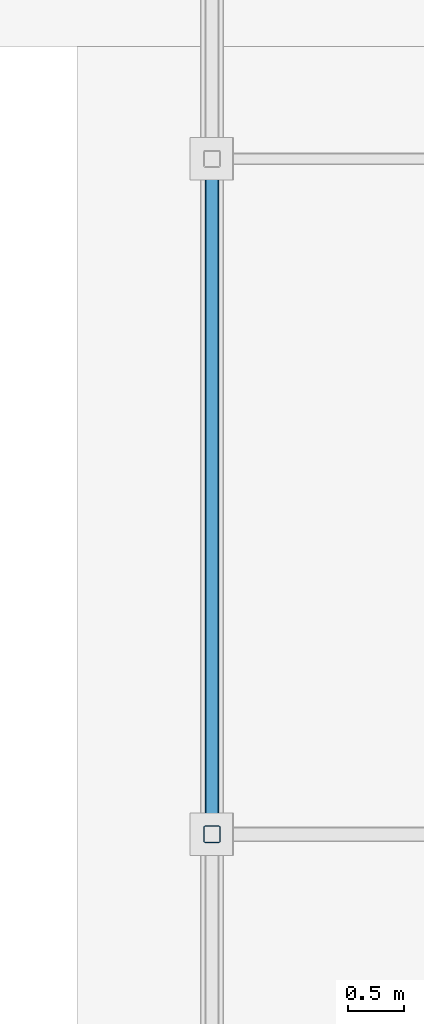
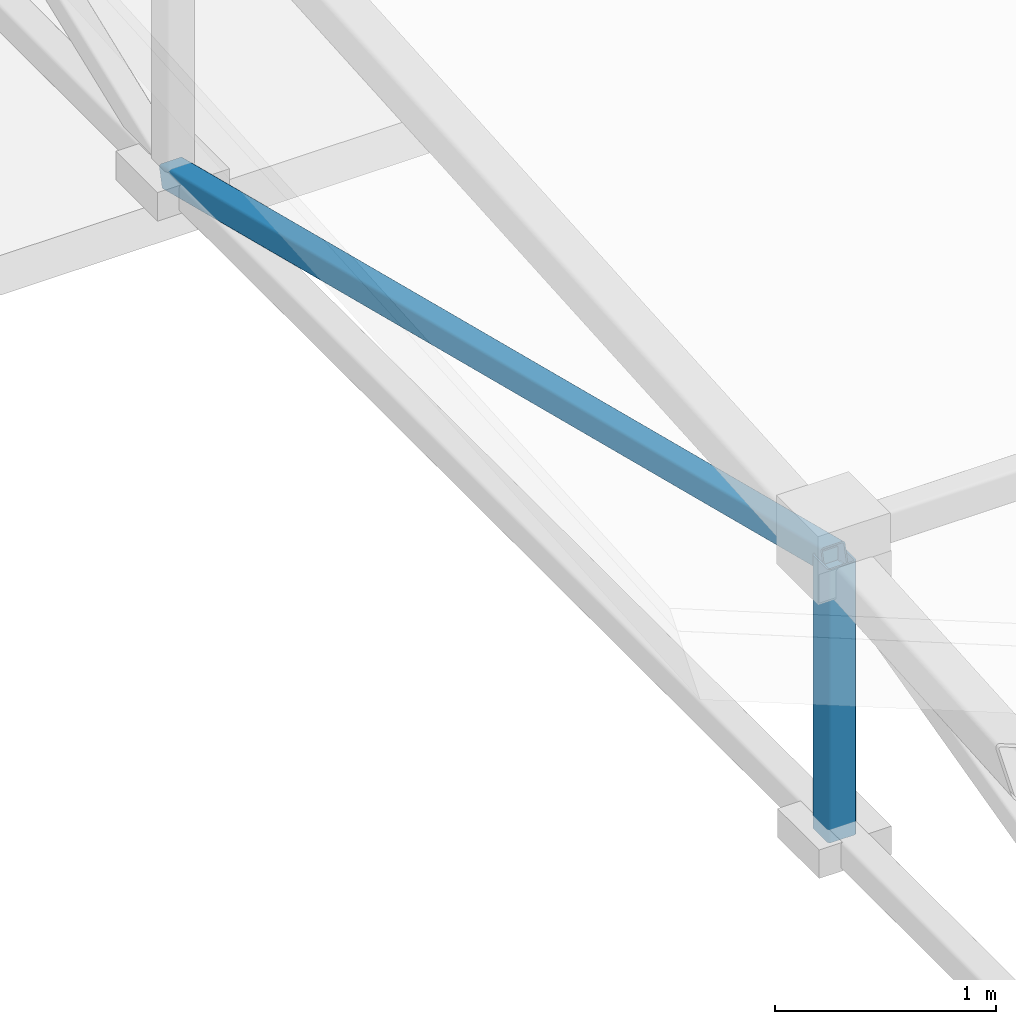
# One storey, part 10 of 85: 2 members.
"""IFC4 building model written with IfcOpenShell, lengths in metres."""

from ifc_helpers import new_model, si_unit, direction, frame, origin, origin_2d, place, context, subcontext, project, spatial, hollow_rectangle, extrude, material, material_profile, profile_set, type_object, element, save


model = new_model("IFC4")

# Units and contexts
model_context = context("Model", 3, precision=1e-05, world=origin(), true_north=direction((0.0, 1.0)))
body_context = subcontext(model_context, "Body", "Model", "MODEL_VIEW")
ifc_project = project(units=[si_unit("LENGTHUNIT", "METRE"), si_unit("AREAUNIT", "SQUARE_METRE"), si_unit("VOLUMEUNIT", "CUBIC_METRE"), si_unit("PLANEANGLEUNIT", "RADIAN"), si_unit("MASSUNIT", "GRAM", prefix="KILO"), si_unit("THERMODYNAMICTEMPERATUREUNIT", "KELVIN"), si_unit("POWERUNIT", "WATT")], contexts=[model_context])

# Site, building, storey
site_placement = place(None, origin())
site = spatial("IfcSite", under=ifc_project, at=site_placement, CompositionType="ELEMENT")
building_placement = place(site_placement, origin())
building = spatial("IfcBuilding", under=site, at=building_placement, Name="Zelmaris Science Centre", CompositionType="ELEMENT")
storey_placement = place(building_placement, frame((0.0, 0.0, 20.39990234375)))
storey = spatial("IfcBuildingStorey", under=building, at=storey_placement, Name="L04", CompositionType="ELEMENT", Elevation=20.39990234375)

# Members
ifc_material = material(Name="Steel ASTM A500 Grade C", Category="steel")
ifc_material_profile_1 = material_profile(ifc_material, hollow_rectangle(XDim=0.15234375, YDim=0.15234375, WallThickness=0.0087890625, InnerFilletRadius=0.0087890625, OuterFilletRadius=0.017822265625, at=origin_2d()), Name="HSS152X152X10")
ifc_profile_set_1 = profile_set([ifc_material_profile_1], Name="Steel ASTM A500 Grade C")
member_type_1 = type_object("IfcMemberType", Name="Structural Brace BR-03 HSS152X152X10", PredefinedType="BRACE", material=ifc_profile_set_1)
member_1_placement = place(storey_placement, frame((108.0, 14.0, 0.947998046875), z_axis=(0.0, 0.0, 1.0), x_axis=(1.0, 0.0, 0.0)))
element("IfcMember", 1, at=member_1_placement, inside=storey, type_object=member_type_1, Name="RF-V4 Roof truss 1 vertical web 1", PredefinedType="BRACE", context=body_context, shape_type="SweptSolid", body=[
    extrude(hollow_rectangle(XDim=0.15234375, YDim=0.15234375, WallThickness=0.0087890625, InnerFilletRadius=0.0087890625, OuterFilletRadius=0.017822265625, at=origin_2d()), origin(), (0.0, 0.0, 1.0), 1.512451171875),
])
ifc_material_profile_2 = material_profile(ifc_material, hollow_rectangle(XDim=0.126953125, YDim=0.126953125, WallThickness=0.00732421875, InnerFilletRadius=0.00732421875, OuterFilletRadius=0.014892578125, at=origin_2d()), Name="HSS127X127X8")
ifc_profile_set_2 = profile_set([ifc_material_profile_2], Name="Steel ASTM A500 Grade C")
member_type_2 = type_object("IfcMemberType", Name="Structural Brace BR-04 HSS127X127X8", PredefinedType="BRACE", material=ifc_profile_set_2)
member_2_placement = place(storey_placement, frame((108.0, 14.0, 2.46044921875), z_axis=(0.0, 0.969667181253, -0.244429044102), x_axis=(-1.0, 0.0, 0.0)))
element("IfcMember", 2, at=member_2_placement, inside=storey, type_object=member_type_2, Name="RF-V4 Roof truss 1 web diagonal 2", PredefinedType="BRACE", context=body_context, shape_type="SweptSolid", body=[
    extrude(hollow_rectangle(XDim=0.126953125, YDim=0.126953125, WallThickness=0.00732421875, InnerFilletRadius=0.00732421875, OuterFilletRadius=0.014892578125, at=origin_2d()), origin(), (0.0, 0.0, 1.0), 6.187744140625),
])

save(model, "model.ifc")
